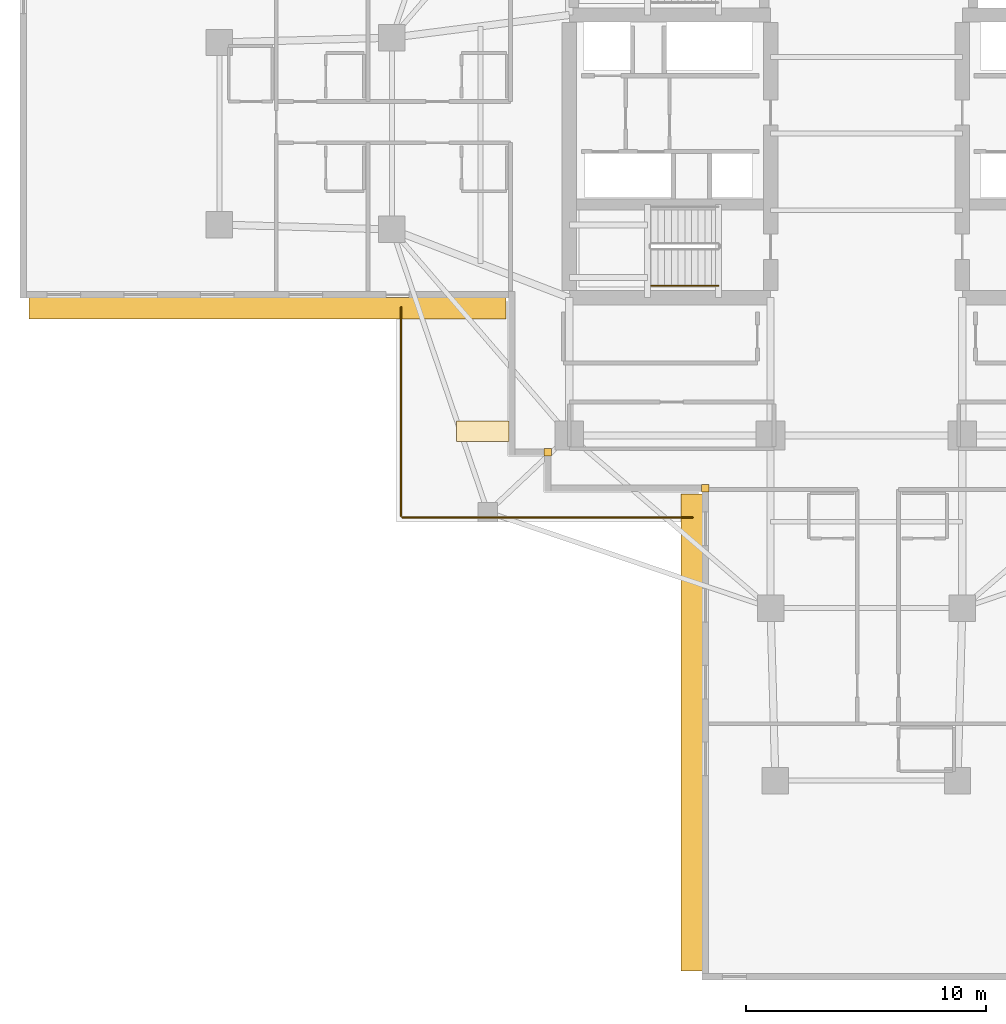
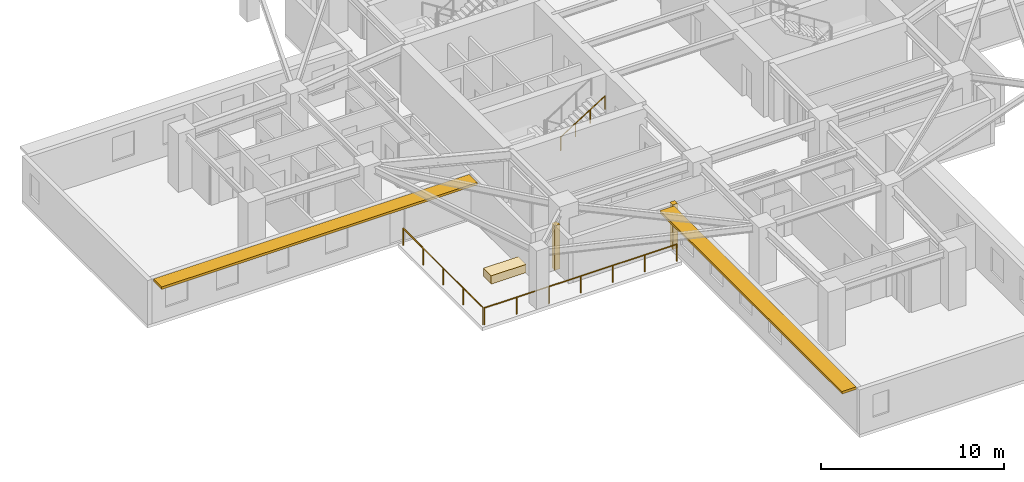
# One storey, part 9 of 13: 3 coverings, 3 railings, 2 shading devices.
"""IFC4 building model written with IfcOpenShell, lengths in metres."""

from ifc_helpers import new_model, si_unit, direction, frame, origin, origin_2d, place, context, subcontext, project, spatial, rectangle, circle, extrude, material, layer, layer_set, type_object, element, save


model = new_model("IFC4")

# Units and contexts
model_context = context("Model", 3, precision=1e-05, world=origin(), true_north=direction((0.0, 1.0)))
body_context = subcontext(model_context, "Body", "Model", "MODEL_VIEW")
ifc_project = project(units=[si_unit("LENGTHUNIT", "METRE"), si_unit("AREAUNIT", "SQUARE_METRE"), si_unit("VOLUMEUNIT", "CUBIC_METRE"), si_unit("PLANEANGLEUNIT", "RADIAN"), si_unit("MASSUNIT", "GRAM", prefix="KILO")], contexts=[model_context])

# Site, building, storey
site_placement = place(None, origin())
site = spatial("IfcSite", under=ifc_project, at=site_placement, CompositionType="ELEMENT")
building_placement = place(site_placement, origin())
building = spatial("IfcBuilding", under=site, at=building_placement, Name="Qingluan Cross Belvedere", CompositionType="ELEMENT")
storey_placement = place(building_placement, frame((0.0, 0.0, 104.699951171875)))
storey = spatial("IfcBuildingStorey", under=building, at=storey_placement, Name="L26", CompositionType="ELEMENT", Elevation=104.699951171875)

# Coverings
ifc_material_1 = material(Name="Precast concrete C45", Category="concrete")
ifc_layer_1 = layer(ifc_material_1, 0.1201171875, Name="ConcreteSpandrelCladding_120")
ifc_layer_set_1 = layer_set([ifc_layer_1], Name="Precast concrete C45")
covering_type_1 = type_object("IfcCoveringType", Name="ConcreteSpandrelCladding_120", PredefinedType="CLADDING", material=ifc_layer_set_1)
for number, where, z_axis, x_axis, name in (
    (1, (-13.300048828125, -13.300048828125, 0.0), (0.0, 0.0, 1.0), (1.0, 0.0, 0.0), "Corner closure L26-SW1"),
    (2, (-6.719970703125, -14.800048828125, 0.0), (0.0, 0.0, 1.0), (1.0, 0.0, 0.0), "Corner closure L26-SW2"),
):
    element("IfcCovering", number, at=place(storey_placement, frame(where, z_axis=z_axis, x_axis=x_axis)), inside=storey, type_object=covering_type_1, Name=name, PredefinedType="CLADDING", context=body_context, shape_type="SweptSolid", body=[
        extrude(rectangle(XDim=0.320068359375, YDim=0.320068359375, at=origin_2d()), origin(), (0.0, 0.0, 1.0), 2.969970703125),
    ])

# Shading devices
ifc_material_2 = material(Name="Precast concrete C45", Category="concrete")
ifc_layer_2 = layer(ifc_material_2, 0.159912109375, Name="ConcreteSunshadeBand_900")
ifc_layer_set_2 = layer_set([ifc_layer_2], Name="Precast concrete C45")
shading_device_type = type_object("IfcShadingDeviceType", Name="ConcreteSunshadeBand_900", PredefinedType="USERDEFINED", material=ifc_layer_set_2)
for number, where, z_axis, x_axis, name in (
    (3, (-24.989990234375, -7.2900390625, 2.7900390625), (0.0, 0.0, 1.0), (1.0, 0.0, 0.0), "Concrete SUNSHADE L26-WB"),
    (4, (-7.2900390625, -24.989990234375, 2.7900390625), (0.0, 0.0, 1.0), (0.0, -1.0, 0.0), "Concrete SUNSHADE L26-SA"),
):
    element("IfcShadingDevice", number, at=place(storey_placement, frame(where, z_axis=z_axis, x_axis=x_axis)), inside=storey, type_object=shading_device_type, Name=name, ObjectType="SUNSHADE", PredefinedType="USERDEFINED", context=body_context, shape_type="SweptSolid", body=[
        extrude(rectangle(XDim=19.89990234375, YDim=0.89990234375, at=origin_2d()), origin(), (0.0, 0.0, 1.0), 0.159912109375),
    ])

# Railings
ifc_material_3 = material(Name="Brushed stainless steel tubular handrail", Category="steel")
railing_type_1 = type_object("IfcRailingType", Name="StairPitchHandrail_900", PredefinedType="HANDRAIL", material=ifc_material_3)
railing_1_placement = place(storey_placement, frame((-8.97998046875, -6.35009765625, 2.12744140625)))
element("IfcRailing", 5, at=railing_1_placement, inside=storey, type_object=railing_type_1, Name="L26 ST1 stair handrail 2", PredefinedType="HANDRAIL", context=body_context, shape_type="SweptSolid", body=[
    extrude(circle(Radius=0.02392578125, at=origin_2d()), frame((0.0, 0.0, 0.8759765625), z_axis=(0.844908973607, 0.0, 0.534910110503), x_axis=(0.0, 1.0, 0.0)), (0.0, 0.0, 1.0), 3.31396484375),
    extrude(circle(Radius=0.02099609375, at=origin_2d()), origin(), (0.0, 0.0, 1.0), 0.851806640625),
    extrude(circle(Radius=0.02099609375, at=origin_2d()), frame((0.933349609375, 0.0, 0.5908203125)), (0.0, 0.0, 1.0), 0.851806640625),
    extrude(circle(Radius=0.02099609375, at=origin_2d()), frame((1.86669921875, 0.0, 1.181884765625)), (0.0, 0.0, 1.0), 0.851806640625),
    extrude(circle(Radius=0.02099609375, at=origin_2d()), frame((2.800048828125, 0.0, 1.772705078125)), (0.0, 0.0, 1.0), 0.851806640625),
])
ifc_material_4 = material(Name="Laminated glass and stainless steel balustrade", Category="steel")
railing_type_2 = type_object("IfcRailingType", Name="TerraceGuardBalustrade_1150", PredefinedType="BALUSTRADE", material=ifc_material_4)
railing_2_placement = place(storey_placement, frame((-7.239990234375, -16.02001953125, 0.0)))
element("IfcRailing", 6, at=railing_2_placement, inside=storey, type_object=railing_type_2, Name="Terrace guard L26-1", PredefinedType="BALUSTRADE", context=body_context, shape_type="SweptSolid", body=[
    extrude(circle(Radius=0.02392578125, at=origin_2d()), frame((0.0, 0.0, 1.1259765625), z_axis=(-1.0, 0.0, 0.0), x_axis=(0.0, -1.0, 0.0)), (0.0, 0.0, 1.0), 12.1201171875),
    extrude(circle(Radius=0.02099609375, at=origin_2d()), origin(), (0.0, 0.0, 1.0), 1.101806640625),
    extrude(circle(Radius=0.02099609375, at=origin_2d()), frame((-2.02001953125, 0.0, 0.0)), (0.0, 0.0, 1.0), 1.101806640625),
    extrude(circle(Radius=0.02099609375, at=origin_2d()), frame((-4.0400390625, 0.0, 0.0)), (0.0, 0.0, 1.0), 1.101806640625),
    extrude(circle(Radius=0.02099609375, at=origin_2d()), frame((-6.06005859375, 0.0, 0.0)), (0.0, 0.0, 1.0), 1.101806640625),
    extrude(circle(Radius=0.02099609375, at=origin_2d()), frame((-8.080078125, 0.0, 0.0)), (0.0, 0.0, 1.0), 1.101806640625),
    extrude(circle(Radius=0.02099609375, at=origin_2d()), frame((-10.10009765625, 0.0, 0.0)), (0.0, 0.0, 1.0), 1.101806640625),
    extrude(circle(Radius=0.02099609375, at=origin_2d()), frame((-12.1201171875, 0.0, 0.0)), (0.0, 0.0, 1.0), 1.101806640625),
])
railing_3_placement = place(storey_placement, frame((-19.419921875, -15.9599609375, 0.0)))
element("IfcRailing", 7, at=railing_3_placement, inside=storey, type_object=railing_type_2, Name="Terrace guard L26-2", PredefinedType="BALUSTRADE", context=body_context, shape_type="SweptSolid", body=[
    extrude(circle(Radius=0.02392578125, at=origin_2d()), frame((0.0, 0.0, 1.1259765625), z_axis=(0.0, 1.0, 0.0), x_axis=(-1.0, 0.0, 0.0)), (0.0, 0.0, 1.0), 8.719970703125),
    extrude(circle(Radius=0.02099609375, at=origin_2d()), origin(), (0.0, 0.0, 1.0), 1.101806640625),
    extrude(circle(Radius=0.02099609375, at=origin_2d()), frame((0.0, 2.179931640625, 0.0)), (0.0, 0.0, 1.0), 1.101806640625),
    extrude(circle(Radius=0.02099609375, at=origin_2d()), frame((0.0, 4.35986328125, 0.0)), (0.0, 0.0, 1.0), 1.101806640625),
    extrude(circle(Radius=0.02099609375, at=origin_2d()), frame((0.0, 6.5400390625, 0.0)), (0.0, 0.0, 1.0), 1.101806640625),
    extrude(circle(Radius=0.02099609375, at=origin_2d()), frame((0.0, 8.719970703125, 0.0)), (0.0, 0.0, 1.0), 1.101806640625),
])

# Covering
ifc_material_5 = material(Name="Precast concrete C40", Category="concrete")
ifc_layer_3 = layer(ifc_material_5, 0.550048828125, Name="TerracePlanterBox")
ifc_layer_set_3 = layer_set([ifc_layer_3], Name="Precast concrete C40")
covering_type_2 = type_object("IfcCoveringType", Name="TerracePlanterBox", PredefinedType="USERDEFINED", material=ifc_layer_set_3)
covering_placement = place(storey_placement, frame((-16.010009765625, -12.425048828125, 0.0), z_axis=(0.0, 0.0, 1.0), x_axis=(1.0, 0.0, 0.0)))
element("IfcCovering", 8, at=covering_placement, inside=storey, type_object=covering_type_2, Name="Spiralling winter-garden planter L26", ObjectType="PLANTER", PredefinedType="USERDEFINED", context=body_context, shape_type="SweptSolid", body=[
    extrude(rectangle(XDim=2.199951171875, YDim=0.85009765625, at=origin_2d()), origin(), (0.0, 0.0, 1.0), 0.550048828125),
])

save(model, "model.ifc")
